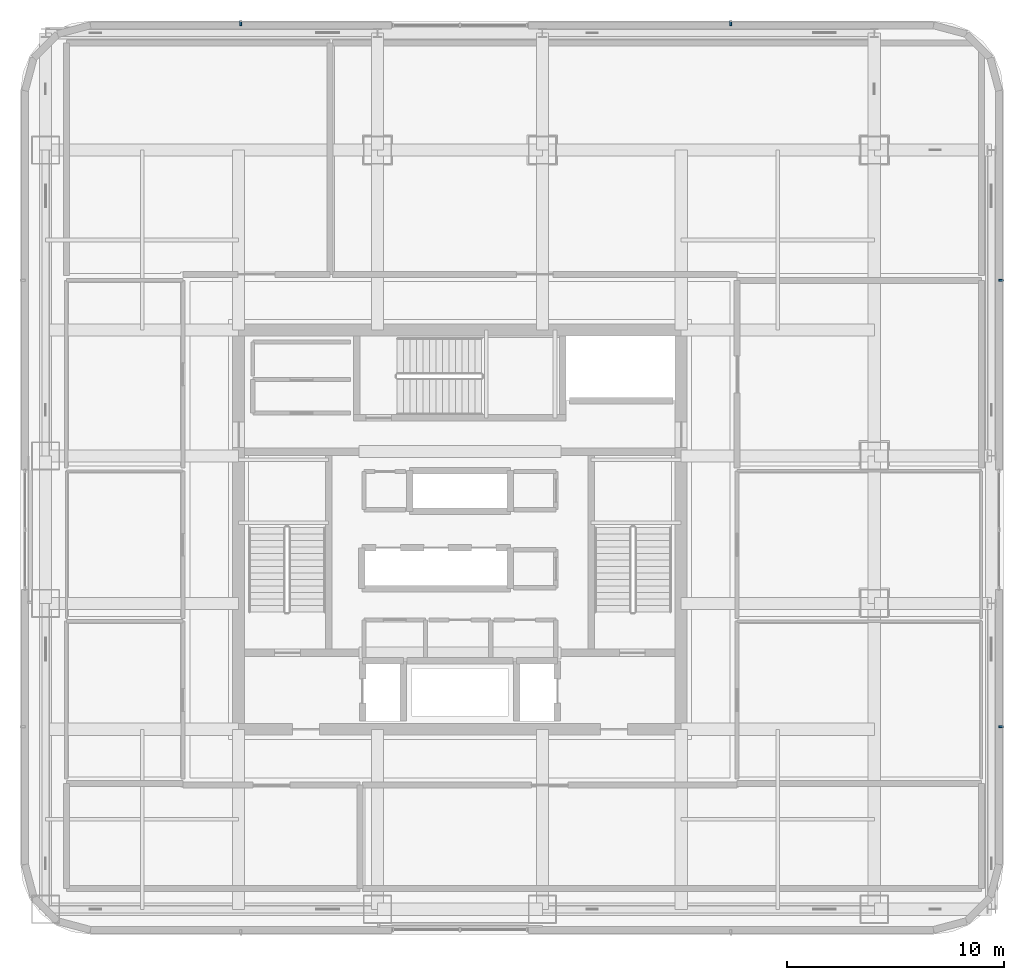
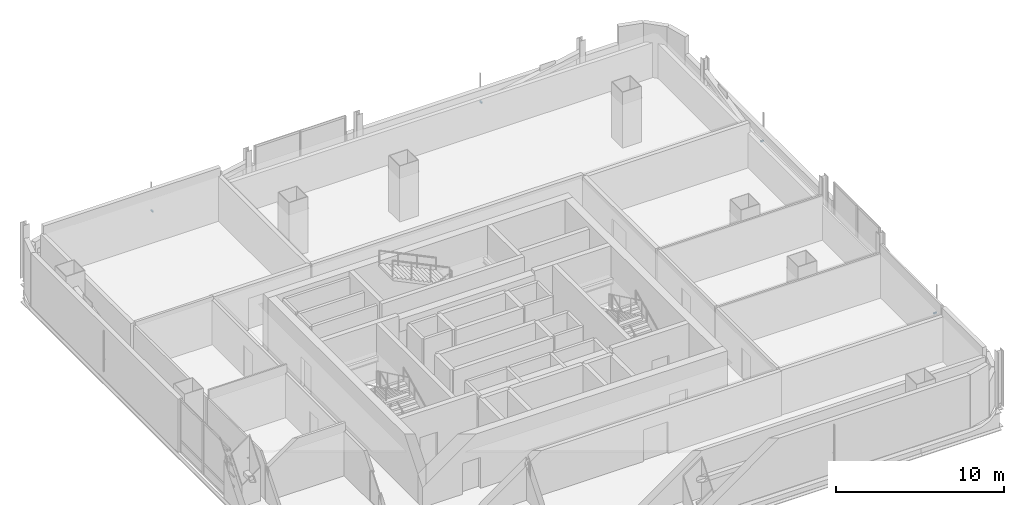
# One storey, part 20 of 30: 4 discrete accessories.
"""IFC4 building model written with IfcOpenShell, lengths in metres."""

from ifc_helpers import new_model, si_unit, direction, frame, origin, origin_2d, place, context, subcontext, project, spatial, rectangle, extrude, material, type_object, element, save


model = new_model("IFC4")

# Units and contexts
model_context = context("Model", 3, precision=1e-05, world=origin(), true_north=direction((0.0, 1.0)))
body_context = subcontext(model_context, "Body", "Model", "MODEL_VIEW")
ifc_project = project(units=[si_unit("LENGTHUNIT", "METRE"), si_unit("AREAUNIT", "SQUARE_METRE"), si_unit("VOLUMEUNIT", "CUBIC_METRE"), si_unit("PLANEANGLEUNIT", "RADIAN"), si_unit("MASSUNIT", "GRAM", prefix="KILO")], contexts=[model_context])

# Site, building, storey
site_placement = place(None, origin())
site = spatial("IfcSite", under=ifc_project, at=site_placement, CompositionType="ELEMENT")
building_placement = place(site_placement, origin())
building = spatial("IfcBuilding", under=site, at=building_placement, Name="Punatoya Terracotta Tower", CompositionType="ELEMENT")
storey_placement = place(building_placement, frame((0.0, 0.0, 251.39990234375)))
storey = spatial("IfcBuildingStorey", under=building, at=storey_placement, Name="L59", CompositionType="ELEMENT", Elevation=251.39990234375)

# Discrete accessories
ifc_material = material(Name="Steel S355", Category="steel")
discrete_accessory_type = type_object("IfcDiscreteAccessoryType", Name="ACC-BRK-220", PredefinedType="BRACKET", material=ifc_material)
for number, where, z_axis, x_axis, name in (
    (1, (24.949951171875, -9.093505859375, 1.449951171875), (0.0, 0.0, 1.0), (0.0, 1.0, 0.0), "L59 Jali Fin Support Bracket E1"),
    (2, (24.949951171875, 11.493408203125, 1.449951171875), (0.0, 0.0, 1.0), (0.0, 1.0, 0.0), "L59 Jali Fin Support Bracket E2"),
    (3, (12.493408203125, 23.35009765625, 1.449951171875), (0.0, 0.0, 1.0), (-1.0, 0.0, 0.0), "L59 Jali Fin Support Bracket N1"),
    (4, (-10.093505859375, 23.35009765625, 1.449951171875), (0.0, 0.0, 1.0), (-1.0, 0.0, 0.0), "L59 Jali Fin Support Bracket N2"),
):
    element("IfcDiscreteAccessory", number, at=place(storey_placement, frame(where, z_axis=z_axis, x_axis=x_axis)), inside=storey, type_object=discrete_accessory_type, Name=name, PredefinedType="BRACKET", context=body_context, shape_type="SweptSolid", body=[
        extrude(rectangle(XDim=0.090087890625, YDim=0.219970703125, at=origin_2d()), origin(), (0.0, 0.0, 1.0), 0.10009765625),
    ])

save(model, "model.ifc")
